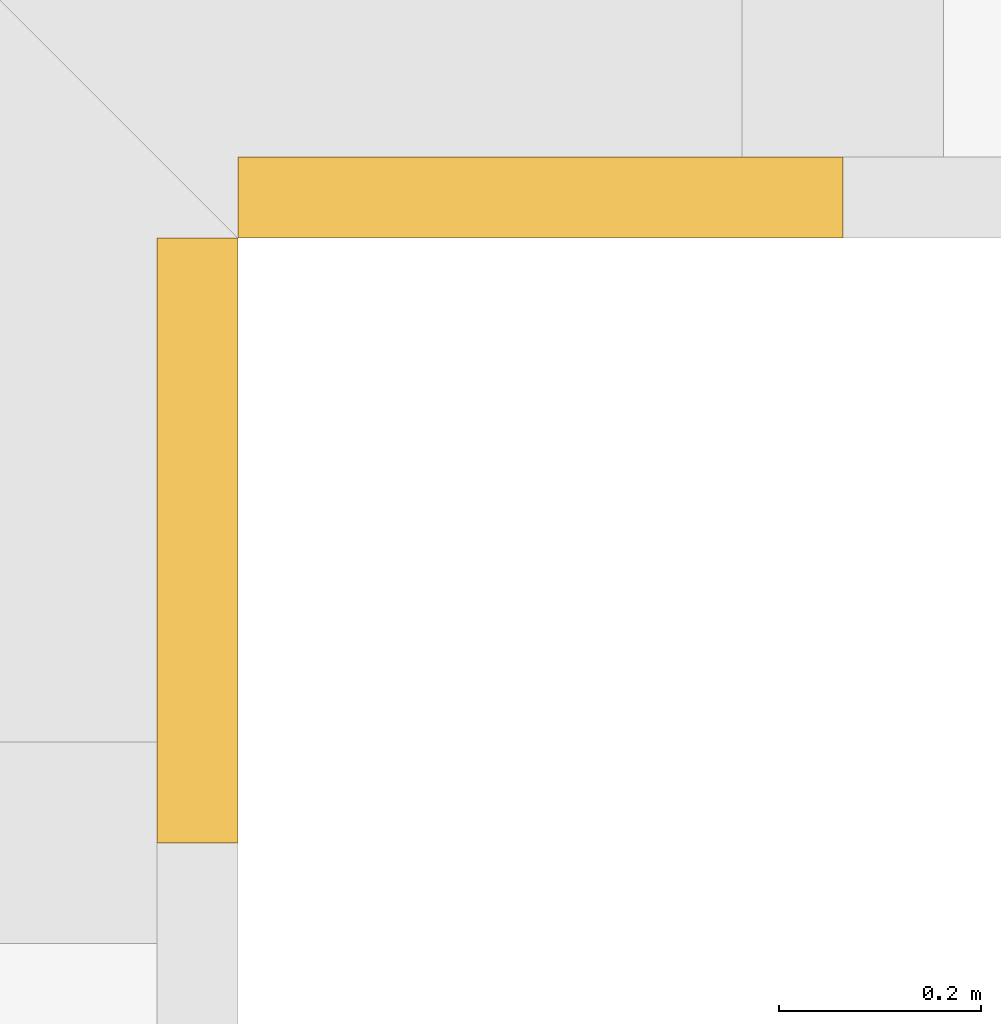
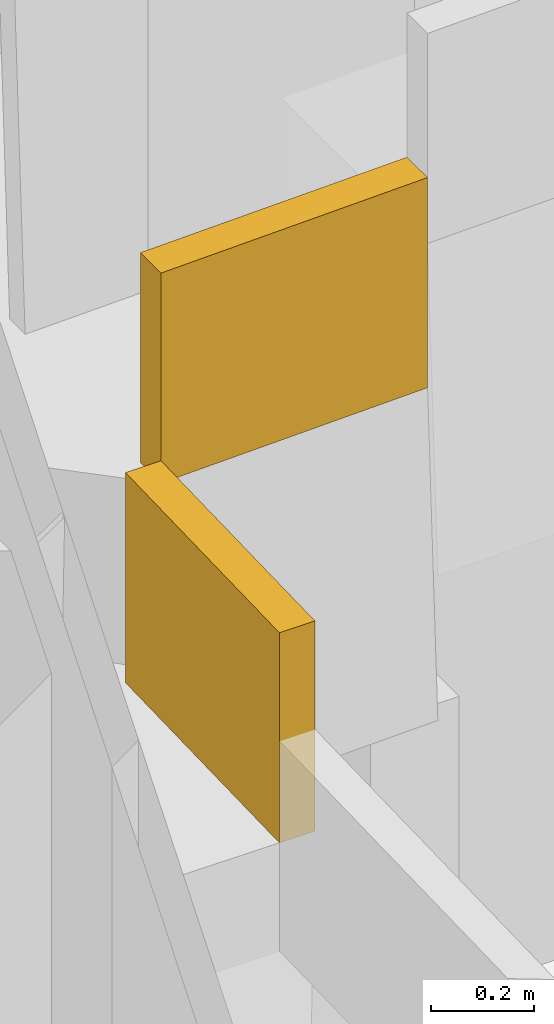
# One storey, part 29 of 29: 2 coverings.
"""IFC4 building model written with IfcOpenShell, lengths in metres."""

from ifc_helpers import new_model, si_unit, direction, frame, origin, place, context, subcontext, project, spatial, polyline, outline, extrude, material, layer, layer_set, type_object, element, save


model = new_model("IFC4")

# Units and contexts
model_context = context("Model", 3, precision=1e-05, world=origin(), true_north=direction((0.0, 1.0)))
body_context = subcontext(model_context, "Body", "Model", "MODEL_VIEW")
ifc_project = project(units=[si_unit("LENGTHUNIT", "METRE"), si_unit("AREAUNIT", "SQUARE_METRE"), si_unit("VOLUMEUNIT", "CUBIC_METRE"), si_unit("PLANEANGLEUNIT", "RADIAN"), si_unit("MASSUNIT", "GRAM", prefix="KILO")], contexts=[model_context])

# Site, building, storey
site_placement = place(None, origin())
site = spatial("IfcSite", under=ifc_project, at=site_placement, CompositionType="ELEMENT")
building_placement = place(site_placement, origin())
building = spatial("IfcBuilding", under=site, at=building_placement, Name="Saffron Gate Tower", CompositionType="ELEMENT")
storey_placement = place(building_placement, frame((0.0, 0.0, 48.0)))
storey = spatial("IfcBuildingStorey", under=building, at=storey_placement, Name="L10", CompositionType="ELEMENT", Elevation=48.0)

# Coverings
ifc_material = material(Name="Timber, thermally modified ash", Category="wood")
ifc_layer = layer(ifc_material, 0.080078125)
ifc_layer_set = layer_set([ifc_layer], Name="LD2 ledge planter trough")
covering_type = type_object("IfcCoveringType", Name="LD2 ledge planter trough", PredefinedType="CLADDING", material=ifc_layer_set)
for number, where, z_axis, x_axis, name in (
    (1, (124.800048828125, 31.800048828125, 2.56591796875), (1.0, 0.0, 0.0), (0.0, 0.999582742162, 0.028884971385), "LEDGE planter trough"),
    (2, (124.800048828125, 32.39990234375, 3.02978515625), (0.0, -1.0, 0.0), (0.999582742162, 0.0, 0.028884971385), "LEDGE planter trough"),
):
    element("IfcCovering", number, at=place(storey_placement, frame(where, z_axis=z_axis, x_axis=x_axis)), inside=storey, type_object=covering_type, Name=name, PredefinedType="CLADDING", context=body_context, shape_type="SweptSolid", body=[
        extrude(outline(polyline([(0.0, 0.0), (0.6001039136866089, 0.0), (0.614546399379222, 0.4997913710809928), (0.014442485692613144, 0.49979137108099286), (0.0, 0.0)])), origin(), (0.0, 0.0, -1.0), 0.080078125),
    ])

save(model, "model.ifc")
